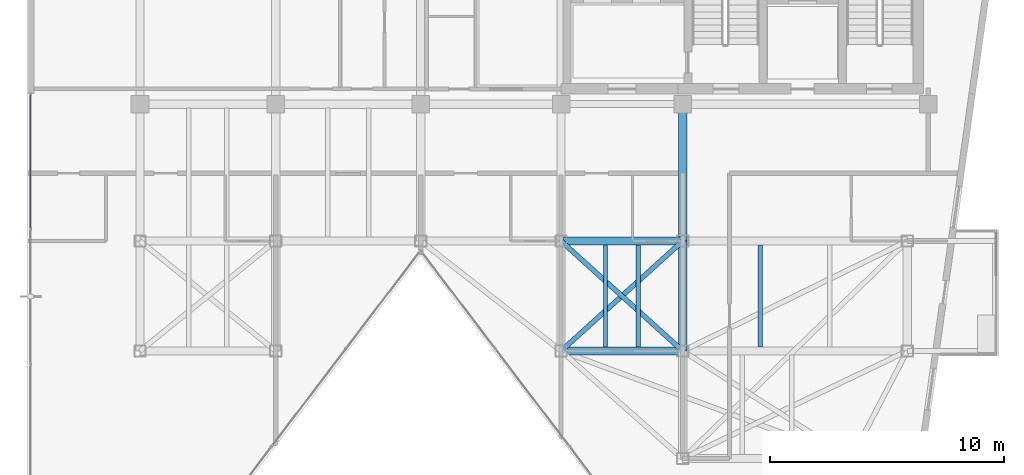
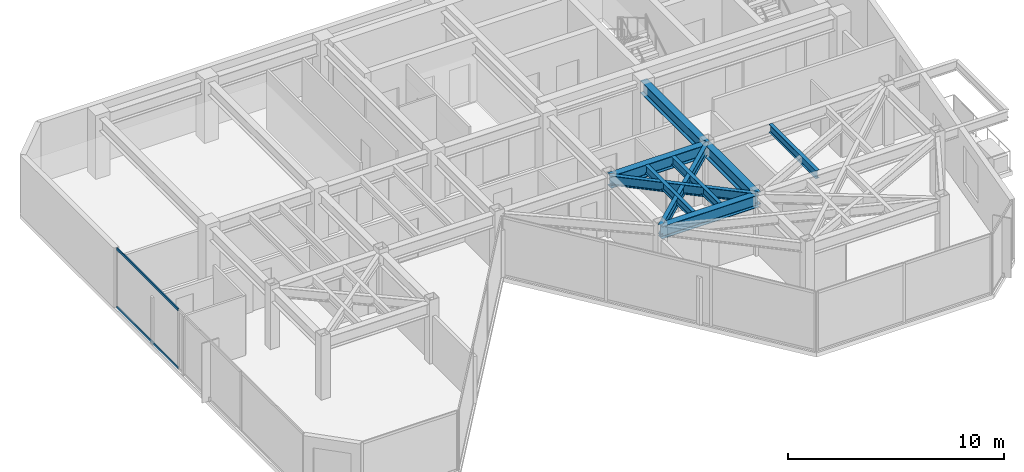
# One storey, part 10 of 19: 9 beams, 2 members, 1 element without a shape of its own.
"""IFC4 building model written with IfcOpenShell, lengths in metres."""

from ifc_helpers import new_model, si_unit, direction, frame, origin, origin_2d, place, context, subcontext, project, spatial, hollow_rectangle, i_section, extrude, material, layer, layer_set, material_profile, profile_set, type_object, element, aggregate, save


model = new_model("IFC4")

# Units and contexts
model_context = context("Model", 3, precision=1e-05, world=origin(), true_north=direction((0.0, 1.0)))
body_context = subcontext(model_context, "Body", "Model", "MODEL_VIEW")
ifc_project = project(units=[si_unit("LENGTHUNIT", "METRE"), si_unit("AREAUNIT", "SQUARE_METRE"), si_unit("VOLUMEUNIT", "CUBIC_METRE"), si_unit("PLANEANGLEUNIT", "RADIAN"), si_unit("MASSUNIT", "GRAM", prefix="KILO")], contexts=[model_context])

# Site, building, storey
site_placement = place(None, origin())
site = spatial("IfcSite", under=ifc_project, at=site_placement, CompositionType="ELEMENT")
building_placement = place(site_placement, origin())
building = spatial("IfcBuilding", under=site, at=building_placement, Name="Kravanh Interchange Tower", CompositionType="ELEMENT")
storey_placement = place(building_placement, frame((0.0, 0.0, 267.0)))
storey = spatial("IfcBuildingStorey", under=building, at=storey_placement, Name="L65", CompositionType="ELEMENT", Elevation=267.0)

# Curtain wall, members
ifc_material_1 = material(Name="Anodised Bronze Aluminium", Category="aluminium")
ifc_layer = layer(ifc_material_1, 0.179931640625)
ifc_layer_set = layer_set([ifc_layer], Name="Unitised Curtain Wall System CW-HTL Luxury Hotel")
curtain_wall_type = type_object("IfcCurtainWallType", Name="Unitised Curtain Wall System CW-HTL Luxury Hotel", PredefinedType="NOTDEFINED", material=ifc_layer_set)
curtain_wall_placement = place(storey_placement, origin())
curtain_wall = element("IfcCurtainWall", 1, at=curtain_wall_placement, inside=storey, type_object=curtain_wall_type, Name="L65 Unitised Curtain Wall CW-L65-01", PredefinedType="NOTDEFINED")
ifc_material_2 = material(Name="Anodised Bronze Aluminium", Category="aluminium")
ifc_material_profile_1 = material_profile(ifc_material_2, hollow_rectangle(XDim=0.06005859375, YDim=0.139892578125, WallThickness=0.00390625, at=origin_2d()), Name="ALU60X140X4")
ifc_profile_set_1 = profile_set([ifc_material_profile_1], Name="Anodised Bronze Aluminium")
member_type = type_object("IfcMemberType", Name="Curtain Wall Transom ALU60X140X4 Bronze", PredefinedType="USERDEFINED", material=ifc_profile_set_1)
member_1_placement = place(storey_placement, frame((28.1201171875, 32.046630859375, 0.030029296875), z_axis=(0.0, 1.0, 0.0), x_axis=(-1.0, 0.0, 0.0)))
member_1 = element("IfcMember", 2, at=member_1_placement, type_object=member_type, Name="CW-HTL transom 3.1", ObjectType="TRANSOM", PredefinedType="USERDEFINED", context=body_context, shape_type="SweptSolid", body=[
    extrude(hollow_rectangle(XDim=0.06005859375, YDim=0.139892578125, WallThickness=0.00390625, at=origin_2d()), origin(), (0.0, 0.0, 1.0), 5.693359375),
])
member_2_placement = place(storey_placement, frame((28.1201171875, 32.046630859375, 3.330078125), z_axis=(0.0, 1.0, 0.0), x_axis=(-1.0, 0.0, 0.0)))
member_2 = element("IfcMember", 3, at=member_2_placement, type_object=member_type, Name="CW-HTL transom 3.2", ObjectType="TRANSOM", PredefinedType="USERDEFINED", context=body_context, shape_type="SweptSolid", body=[
    extrude(hollow_rectangle(XDim=0.06005859375, YDim=0.139892578125, WallThickness=0.00390625, at=origin_2d()), origin(), (0.0, 0.0, 1.0), 5.693359375),
])
aggregate(curtain_wall, [member_1, member_2])

# Beams
ifc_material_3 = material(Name="Structural Steel S355", Category="steel")
ifc_material_profile_2 = material_profile(ifc_material_3, i_section(OverallWidth=0.35498046875, OverallDepth=0.696044921875, WebThickness=0.015380859375, FlangeThickness=0.02490234375, FilletRadius=0.02392578125, at=origin_2d()), Name="W27X146")
ifc_profile_set_2 = profile_set([ifc_material_profile_2], Name="Structural Steel S355")
beam_type_1 = type_object("IfcBeamType", Name="Floor Beam W27X146 Structural Steel S355", PredefinedType="BEAM", material=ifc_profile_set_2)
beam_1_placement = place(storey_placement, frame((50.800048828125, 31.5, 3.011962890625), z_axis=(1.0, 0.0, 0.0), x_axis=(0.0, 1.0, 0.0)))
element("IfcBeam", 4, at=beam_1_placement, inside=storey, type_object=beam_type_1, Name="L65 Primary Floor Girder 6", PredefinedType="BEAM", context=body_context, shape_type="SweptSolid", body=[
    extrude(i_section(OverallWidth=0.35498046875, OverallDepth=0.696044921875, WebThickness=0.015380859375, FlangeThickness=0.02490234375, FilletRadius=0.02392578125, at=origin_2d()), origin(), (0.0, 0.0, 1.0), 5.199951171875),
])
beam_2_placement = place(storey_placement, frame((56.0, 31.5, 3.011962890625), z_axis=(0.0, -1.0, 0.0), x_axis=(1.0, 0.0, 0.0)))
element("IfcBeam", 5, at=beam_2_placement, inside=storey, type_object=beam_type_1, Name="L65 Primary Floor Girder 9", PredefinedType="BEAM", context=body_context, shape_type="SweptSolid", body=[
    extrude(i_section(OverallWidth=0.35498046875, OverallDepth=0.696044921875, WebThickness=0.015380859375, FlangeThickness=0.02490234375, FilletRadius=0.02392578125, at=origin_2d()), origin(), (0.0, 0.0, 1.0), 4.699951171875),
])
beam_3_placement = place(storey_placement, frame((56.0, 31.5, 3.011962890625), z_axis=(0.0, 1.0, 0.0), x_axis=(-1.0, 0.0, 0.0)))
element("IfcBeam", 6, at=beam_3_placement, inside=storey, type_object=beam_type_1, Name="L65 Primary Floor Girder 10", PredefinedType="BEAM", context=body_context, shape_type="SweptSolid", body=[
    extrude(i_section(OverallWidth=0.35498046875, OverallDepth=0.696044921875, WebThickness=0.015380859375, FlangeThickness=0.02490234375, FilletRadius=0.02392578125, at=origin_2d()), origin(), (0.0, 0.0, 1.0), 5.85009765625),
])
beam_4_placement = place(storey_placement, frame((50.800048828125, 26.800048828125, 3.011962890625), z_axis=(1.0, 0.0, 0.0), x_axis=(0.0, 1.0, 0.0)))
element("IfcBeam", 7, at=beam_4_placement, inside=storey, type_object=beam_type_1, Name="L65 Primary Floor Girder 25", PredefinedType="BEAM", context=body_context, shape_type="SweptSolid", body=[
    extrude(i_section(OverallWidth=0.35498046875, OverallDepth=0.696044921875, WebThickness=0.015380859375, FlangeThickness=0.02490234375, FilletRadius=0.02392578125, at=origin_2d()), origin(), (0.0, 0.0, 1.0), 5.199951171875),
])
ifc_material_4 = material(Name="Structural Steel S355", Category="steel")
ifc_material_profile_3 = material_profile(ifc_material_4, i_section(OverallWidth=0.18994140625, OverallDepth=0.45703125, WebThickness=0.009033203125, FlangeThickness=0.014404296875, FilletRadius=0.01806640625, at=origin_2d()), Name="W18X50")
ifc_profile_set_3 = profile_set([ifc_material_profile_3], Name="Structural Steel S355")
beam_type_2 = type_object("IfcBeamType", Name="Floor Joist W18X50 Structural Steel S355", PredefinedType="JOIST", material=ifc_profile_set_3)
for number, where, z_axis, x_axis, name in (
    (8, (52.697998046875, 26.972412109375, 3.131591796875), (0.0, 1.0, 0.0), (-1.0, 0.0, 0.0), "L65 Secondary Floor Joist 5"),
    (9, (54.10205078125, 26.972412109375, 3.131591796875), (0.0, 1.0, 0.0), (-1.0, 0.0, 0.0), "L65 Secondary Floor Joist 6"),
    (10, (59.305908203125, 26.972412109375, 3.131591796875), (0.0, 1.0, 0.0), (-1.0, 0.0, 0.0), "L65 Secondary Floor Joist 7"),
):
    element("IfcBeam", number, at=place(storey_placement, frame(where, z_axis=z_axis, x_axis=x_axis)), inside=storey, type_object=beam_type_2, Name=name, PredefinedType="JOIST", context=body_context, shape_type="SweptSolid", body=[
        extrude(i_section(OverallWidth=0.18994140625, OverallDepth=0.45703125, WebThickness=0.009033203125, FlangeThickness=0.014404296875, FilletRadius=0.01806640625, at=origin_2d()), origin(), (0.0, 0.0, 1.0), 4.35498046875),
    ])
ifc_material_5 = material(Name="Structural Steel S355", Category="steel")
ifc_material_profile_4 = material_profile(ifc_material_5, i_section(OverallWidth=0.2099609375, OverallDepth=0.537109375, WebThickness=0.010986328125, FlangeThickness=0.017333984375, FilletRadius=0.02001953125, at=origin_2d()), Name="W21X68")
ifc_profile_set_4 = profile_set([ifc_material_profile_4], Name="Structural Steel S355")
beam_type_3 = type_object("IfcBeamType", Name="Floor Spandrel W21X68 Structural Steel S355", PredefinedType="SPANDREL", material=ifc_profile_set_4)
for number, where, z_axis, x_axis, name in (
    (11, (50.800048828125, 31.5, 3.091552734375), (0.741874009795, -0.670539300557, 0.0), (0.670539300557, 0.741874009795, 0.0), "L65 Perimeter Spandrel 8"),
    (12, (56.0, 31.5, 3.091552734375), (-0.741874009795, -0.670539300557, 0.0), (0.670539300557, -0.741874009795, 0.0), "L65 Perimeter Spandrel 11"),
):
    element("IfcBeam", number, at=place(storey_placement, frame(where, z_axis=z_axis, x_axis=x_axis)), inside=storey, type_object=beam_type_3, Name=name, PredefinedType="SPANDREL", context=body_context, shape_type="SweptSolid", body=[
        extrude(i_section(OverallWidth=0.2099609375, OverallDepth=0.537109375, WebThickness=0.010986328125, FlangeThickness=0.017333984375, FilletRadius=0.02001953125, at=origin_2d()), origin(), (0.0, 0.0, 1.0), 7.00927734375),
    ])

save(model, "model.ifc")
